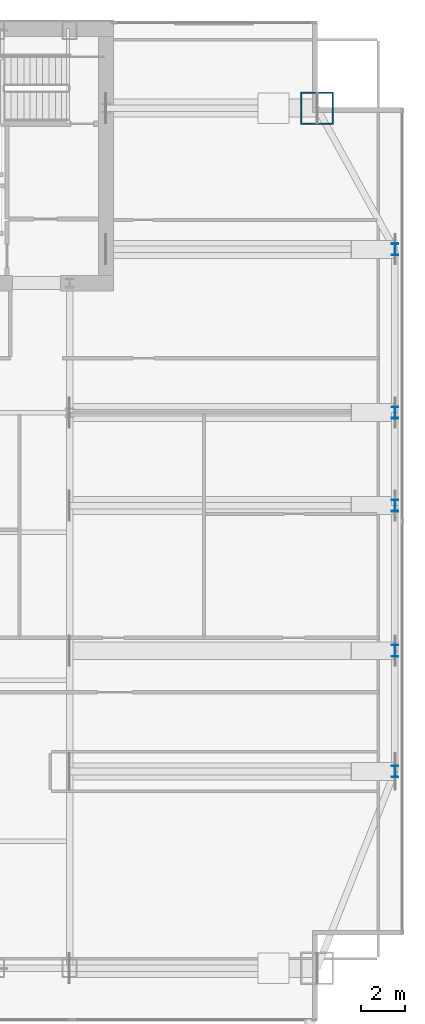
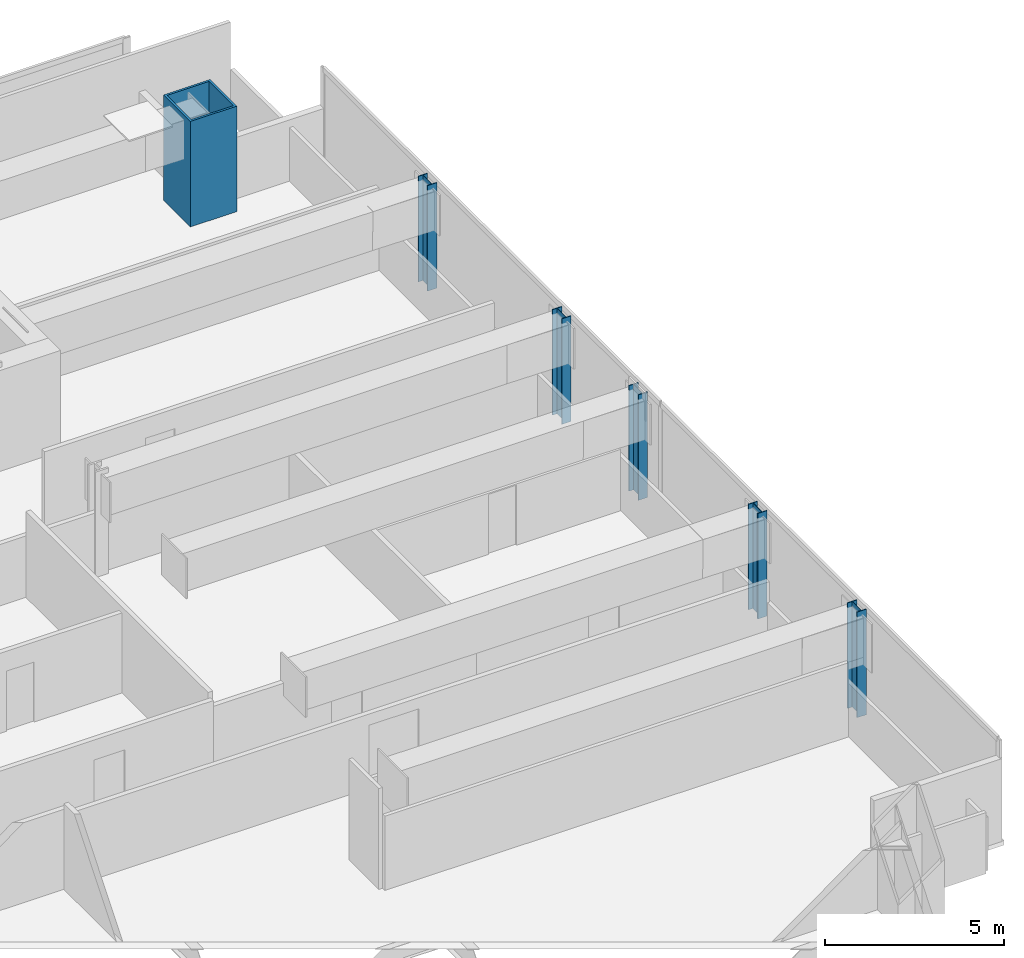
# One storey, part 4 of 30: 6 columns.
"""IFC4 building model written with IfcOpenShell, lengths in metres."""

from ifc_helpers import new_model, si_unit, direction, frame, origin, origin_2d, place, context, subcontext, project, spatial, hollow_rectangle, i_section, extrude, material, material_profile, profile_set, type_object, element, save


model = new_model("IFC4")

# Units and contexts
model_context = context("Model", 3, precision=1e-05, world=origin(), true_north=direction((0.0, 1.0)))
body_context = subcontext(model_context, "Body", "Model", "MODEL_VIEW")
ifc_project = project(units=[si_unit("LENGTHUNIT", "METRE"), si_unit("AREAUNIT", "SQUARE_METRE"), si_unit("VOLUMEUNIT", "CUBIC_METRE"), si_unit("PLANEANGLEUNIT", "RADIAN"), si_unit("MASSUNIT", "GRAM", prefix="KILO")], contexts=[model_context])

# Site, building, storey
site_placement = place(None, origin())
site = spatial("IfcSite", under=ifc_project, at=site_placement, CompositionType="ELEMENT")
building_placement = place(site_placement, origin())
building = spatial("IfcBuilding", under=site, at=building_placement, Name="Khoronbel Lancet Exchange", CompositionType="ELEMENT")
storey_placement = place(building_placement, frame((0.0, 0.0, 132.60009765625)))
storey = spatial("IfcBuildingStorey", under=building, at=storey_placement, Name="L32", CompositionType="ELEMENT", Elevation=132.60009765625)

# Columns
ifc_material_1 = material(Name="Steel S355", Category="steel")
ifc_material_profile_1 = material_profile(ifc_material_1, i_section(OverallWidth=0.300048828125, OverallDepth=0.550048828125, WebThickness=0.014892578125, FlangeThickness=0.029052734375, at=origin_2d()), Name="HEB 550")
ifc_profile_set_1 = profile_set([ifc_material_profile_1], Name="Steel S355")
column_type_1 = type_object("IfcColumnType", Name="COL-LC1", PredefinedType="COLUMN", material=ifc_profile_set_1)
for number, where, z_axis, x_axis, name in (
    (1, (69.6298828125, 19.199951171875, 0.0), (0.0, 0.0, 1.0), (1.0, 0.0, 0.0), "Structural column EC-1 L32"),
    (2, (69.6298828125, 24.75, 0.0), (0.0, 0.0, 1.0), (1.0, 0.0, 0.0), "Structural column EC-2 L32"),
    (3, (69.6298828125, 31.425048828125, 0.0), (0.0, 0.0, 1.0), (1.0, 0.0, 0.0), "Structural column EC-M L32"),
    (4, (69.6298828125, 35.699951171875, 0.0), (0.0, 0.0, 1.0), (1.0, 0.0, 0.0), "Structural column EC-3 L32"),
    (5, (69.6298828125, 43.199951171875, 0.0), (0.0, 0.0, 1.0), (1.0, 0.0, 0.0), "Structural column EC-4 L32"),
):
    element("IfcColumn", number, at=place(storey_placement, frame(where, z_axis=z_axis, x_axis=x_axis)), inside=storey, type_object=column_type_1, Name=name, PredefinedType="COLUMN", context=body_context, shape_type="SweptSolid", body=[
        extrude(i_section(OverallWidth=0.300048828125, OverallDepth=0.550048828125, WebThickness=0.014892578125, FlangeThickness=0.029052734375, at=origin_2d()), origin(), (0.0, 0.0, 1.0), 3.599853515625),
    ])
ifc_material_2 = material(Name="Steel S460", Category="steel")
ifc_material_profile_2 = material_profile(ifc_material_2, hollow_rectangle(XDim=1.5, YDim=1.5, WallThickness=0.070068359375, at=origin_2d()), Name="BOX 1500x1500x70")
ifc_profile_set_2 = profile_set([ifc_material_profile_2], Name="Steel S460")
column_type_2 = type_object("IfcColumnType", Name="COL-MC3", PredefinedType="COLUMN", material=ifc_profile_set_2)
column_placement = place(storey_placement, frame((66.050048828125, 49.699951171875, 0.0), z_axis=(0.0, 0.0, 1.0), x_axis=(1.0, 0.0, 0.0)))
element("IfcColumn", 6, at=column_placement, inside=storey, type_object=column_type_2, Name="Structural column MC-NE L32", PredefinedType="COLUMN", context=body_context, shape_type="SweptSolid", body=[
    extrude(hollow_rectangle(XDim=1.5, YDim=1.5, WallThickness=0.070068359375, at=origin_2d()), origin(), (0.0, 0.0, 1.0), 3.599853515625),
])

save(model, "model.ifc")
